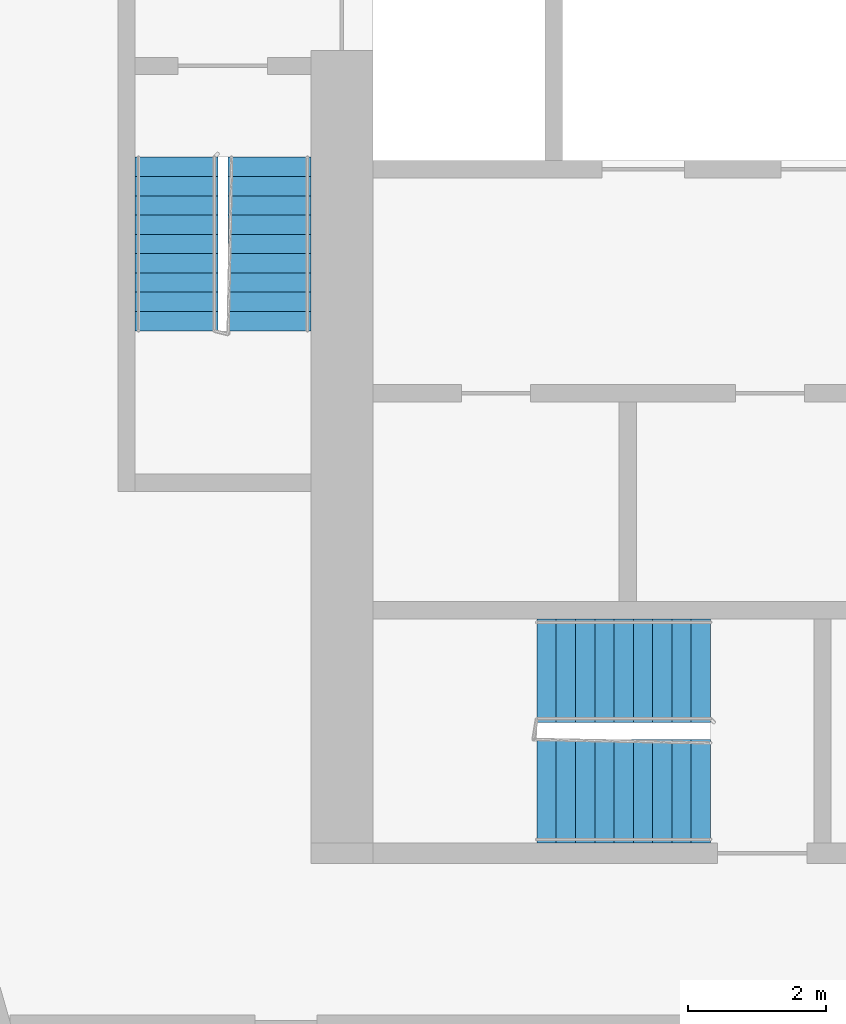
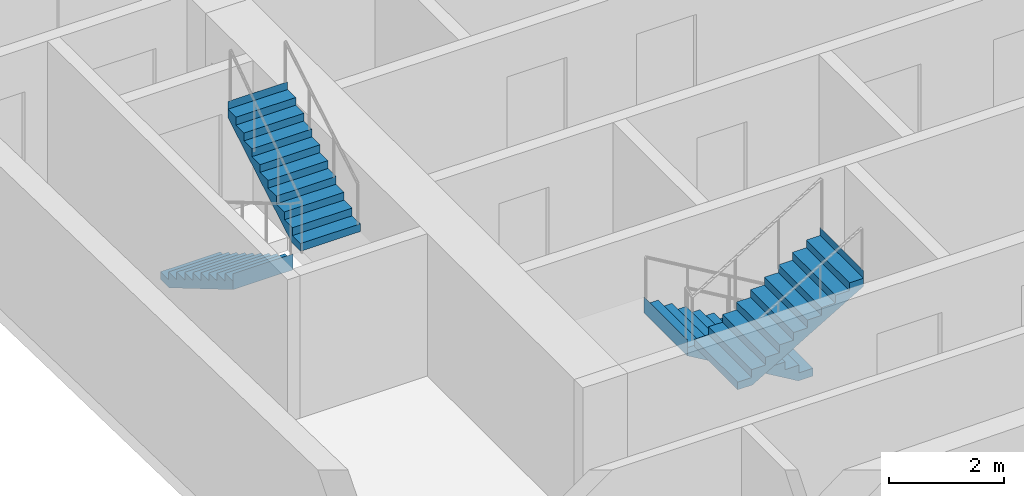
# One storey, part 8 of 11: 4 stair flights, 2 elements without a shape of their own.
"""IFC4 building model written with IfcOpenShell, lengths in metres."""

from ifc_helpers import new_model, si_unit, direction, frame, origin, place, context, subcontext, project, spatial, faceted_brep, material, type_object, element, aggregate, save


model = new_model("IFC4")

# Units and contexts
model_context = context("Model", 3, precision=1e-05, world=origin(), true_north=direction((0.0, 1.0)))
body_context = subcontext(model_context, "Body", "Model", "MODEL_VIEW")
ifc_project = project(units=[si_unit("LENGTHUNIT", "METRE"), si_unit("AREAUNIT", "SQUARE_METRE"), si_unit("VOLUMEUNIT", "CUBIC_METRE"), si_unit("PLANEANGLEUNIT", "RADIAN"), si_unit("MASSUNIT", "GRAM", prefix="KILO")], contexts=[model_context])

# Site, building, storey
site_placement = place(None, origin())
site = spatial("IfcSite", under=ifc_project, at=site_placement, CompositionType="ELEMENT")
building_placement = place(site_placement, origin())
building = spatial("IfcBuilding", under=site, at=building_placement, Name="Kajstack Hotel Tower", CompositionType="ELEMENT")
storey_placement = place(building_placement, frame((0.0, 0.0, 230.89990234375)))
storey = spatial("IfcBuildingStorey", under=building, at=storey_placement, Name="L56", CompositionType="ELEMENT", Elevation=230.89990234375)

# Stair, stair flights
ifc_material = material(Name="Concrete C40/50", Category="concrete")
stair_type_1 = type_object("IfcStairType", Name="Exit stair 1200", PredefinedType="HALF_TURN_STAIR", material=ifc_material)
stair_1_placement = place(storey_placement, origin())
stair_1 = element("IfcStair", 1, at=stair_1_placement, inside=storey, type_object=stair_type_1, Name="L56 stair W1", PredefinedType="HALF_TURN_STAIR")
stair_flight_type_1 = type_object("IfcStairFlightType", Name="Exit stair flight 1200", PredefinedType="STRAIGHT", material=ifc_material)
stair_flight_1_placement = place(storey_placement, frame((-33.449951171875, -5.25, 0.0), z_axis=(0.0, 0.0, 1.0), x_axis=(0.0, -1.0, 0.0)))
stair_flight_1 = element("IfcStairFlight", 2, at=stair_flight_1_placement, type_object=stair_flight_type_1, Name="W1 flight 1", NumberOfRisers=10, NumberOfTreads=9, PredefinedType="STRAIGHT", RiserHeight=0.165, TreadLength=0.28, context=body_context, shape_type="Brep", body=[
    faceted_brep([(0.295654296875, -0.60009765625, 0.0), (2.5205078125, -0.60009765625, 1.31103515625), (2.5205078125, -0.60009765625, 1.64990234375), (2.52001953125, -0.60009765625, 1.64990234375), (2.52001953125, -0.60009765625, 1.485107421875), (2.239990234375, -0.60009765625, 1.485107421875), (2.239990234375, -0.60009765625, 1.320068359375), (1.9599609375, -0.60009765625, 1.320068359375), (1.9599609375, -0.60009765625, 1.155029296875), (1.679931640625, -0.60009765625, 1.155029296875), (1.679931640625, -0.60009765625, 0.989990234375), (1.39990234375, -0.60009765625, 0.989990234375), (1.39990234375, -0.60009765625, 0.824951171875), (1.1201171875, -0.60009765625, 0.824951171875), (1.1201171875, -0.60009765625, 0.659912109375), (0.840087890625, -0.60009765625, 0.659912109375), (0.840087890625, -0.60009765625, 0.4951171875), (0.56005859375, -0.60009765625, 0.4951171875), (0.56005859375, -0.60009765625, 0.330078125), (0.280029296875, -0.60009765625, 0.330078125), (0.280029296875, -0.60009765625, 0.1650390625), (-0.00048828125, -0.60009765625, 0.1650390625), (-0.00048828125, -0.60009765625, 0.0), (-0.00048828125, 0.60009765625, 0.0), (-0.00048828125, 0.60009765625, 0.1650390625), (0.280029296875, 0.60009765625, 0.1650390625), (0.280029296875, 0.60009765625, 0.330078125), (0.56005859375, 0.60009765625, 0.330078125), (0.56005859375, 0.60009765625, 0.4951171875), (0.840087890625, 0.60009765625, 0.4951171875), (0.840087890625, 0.60009765625, 0.659912109375), (1.1201171875, 0.60009765625, 0.659912109375), (1.1201171875, 0.60009765625, 0.824951171875), (1.39990234375, 0.60009765625, 0.824951171875), (1.39990234375, 0.60009765625, 0.989990234375), (1.679931640625, 0.60009765625, 0.989990234375), (1.679931640625, 0.60009765625, 1.155029296875), (1.9599609375, 0.60009765625, 1.155029296875), (1.9599609375, 0.60009765625, 1.320068359375), (2.239990234375, 0.60009765625, 1.320068359375), (2.239990234375, 0.60009765625, 1.485107421875), (2.52001953125, 0.60009765625, 1.485107421875), (2.52001953125, 0.60009765625, 1.64990234375), (2.5205078125, 0.60009765625, 1.64990234375), (2.5205078125, 0.60009765625, 1.31103515625), (0.295654296875, 0.60009765625, 0.0), (-0.00048828125, -0.300048828125, 0.1650390625), (-0.00048828125, 0.0, 0.1650390625), (-0.00048828125, 0.300048828125, 0.1650390625), (-0.00048828125, 0.300048828125, 0.0), (-0.00048828125, 0.0, 0.0), (-0.00048828125, -0.300048828125, 0.0), (0.280029296875, -0.300048828125, 0.1650390625), (0.280029296875, 0.0, 0.1650390625), (0.280029296875, 0.300048828125, 0.1650390625), (0.280029296875, -0.300048828125, 0.330078125), (0.280029296875, 0.0, 0.330078125), (0.280029296875, 0.300048828125, 0.330078125), (0.56005859375, -0.300048828125, 0.330078125), (0.56005859375, 0.0, 0.330078125), (0.56005859375, 0.300048828125, 0.330078125), (0.56005859375, -0.300048828125, 0.4951171875), (0.56005859375, 0.0, 0.4951171875), (0.56005859375, 0.300048828125, 0.4951171875), (0.840087890625, -0.300048828125, 0.4951171875), (0.840087890625, 0.0, 0.4951171875), (0.840087890625, 0.300048828125, 0.4951171875), (0.840087890625, -0.300048828125, 0.659912109375), (0.840087890625, 0.0, 0.659912109375), (0.840087890625, 0.300048828125, 0.659912109375), (1.1201171875, -0.300048828125, 0.659912109375), (1.1201171875, 0.0, 0.659912109375), (1.1201171875, 0.300048828125, 0.659912109375), (1.1201171875, -0.300048828125, 0.824951171875), (1.1201171875, 0.0, 0.824951171875), (1.1201171875, 0.300048828125, 0.824951171875), (1.39990234375, -0.300048828125, 0.824951171875), (1.39990234375, 0.0, 0.824951171875), (1.39990234375, 0.300048828125, 0.824951171875), (1.39990234375, -0.300048828125, 0.989990234375), (1.39990234375, 0.0, 0.989990234375), (1.39990234375, 0.300048828125, 0.989990234375), (1.679931640625, -0.300048828125, 0.989990234375), (1.679931640625, 0.0, 0.989990234375), (1.679931640625, 0.300048828125, 0.989990234375), (1.679931640625, -0.300048828125, 1.155029296875), (1.679931640625, 0.0, 1.155029296875), (1.679931640625, 0.300048828125, 1.155029296875), (1.9599609375, -0.300048828125, 1.155029296875), (1.9599609375, 0.0, 1.155029296875), (1.9599609375, 0.300048828125, 1.155029296875), (1.9599609375, -0.300048828125, 1.320068359375), (1.9599609375, 0.0, 1.320068359375), (1.9599609375, 0.300048828125, 1.320068359375), (2.239990234375, -0.300048828125, 1.320068359375), (2.239990234375, 0.0, 1.320068359375), (2.239990234375, 0.300048828125, 1.320068359375), (2.239990234375, -0.300048828125, 1.485107421875), (2.239990234375, 0.0, 1.485107421875), (2.239990234375, 0.300048828125, 1.485107421875), (2.52001953125, -0.300048828125, 1.485107421875), (2.52001953125, 0.0, 1.485107421875), (2.52001953125, 0.300048828125, 1.485107421875), (2.52001953125, -0.300048828125, 1.64990234375), (2.52001953125, 0.0, 1.64990234375), (2.52001953125, 0.300048828125, 1.64990234375), (2.5205078125, -0.300048828125, 1.64990234375), (2.5205078125, 0.0, 1.64990234375), (2.5205078125, 0.300048828125, 1.64990234375), (2.5205078125, -0.300048828125, 1.31103515625), (2.5205078125, 0.0, 1.31103515625), (2.5205078125, 0.300048828125, 1.31103515625), (0.295654296875, -0.300048828125, 0.0), (0.295654296875, 0.0, 0.0), (0.295654296875, 0.300048828125, 0.0)], [[[0, 1, 2, 3, 4, 5, 6, 7, 8, 9, 10, 11, 12, 13, 14, 15, 16, 17, 18, 19, 20, 21, 22]], [[23, 24, 25, 26, 27, 28, 29, 30, 31, 32, 33, 34, 35, 36, 37, 38, 39, 40, 41, 42, 43, 44, 45]], [[21, 46, 47, 48, 24, 23, 49, 50, 51, 22]], [[20, 52, 53, 54, 25, 24, 48, 47, 46, 21]], [[19, 55, 56, 57, 26, 25, 54, 53, 52, 20]], [[18, 58, 59, 60, 27, 26, 57, 56, 55, 19]], [[17, 61, 62, 63, 28, 27, 60, 59, 58, 18]], [[16, 64, 65, 66, 29, 28, 63, 62, 61, 17]], [[15, 67, 68, 69, 30, 29, 66, 65, 64, 16]], [[14, 70, 71, 72, 31, 30, 69, 68, 67, 15]], [[13, 73, 74, 75, 32, 31, 72, 71, 70, 14]], [[12, 76, 77, 78, 33, 32, 75, 74, 73, 13]], [[11, 79, 80, 81, 34, 33, 78, 77, 76, 12]], [[10, 82, 83, 84, 35, 34, 81, 80, 79, 11]], [[9, 85, 86, 87, 36, 35, 84, 83, 82, 10]], [[8, 88, 89, 90, 37, 36, 87, 86, 85, 9]], [[7, 91, 92, 93, 38, 37, 90, 89, 88, 8]], [[6, 94, 95, 96, 39, 38, 93, 92, 91, 7]], [[5, 97, 98, 99, 40, 39, 96, 95, 94, 6]], [[4, 100, 101, 102, 41, 40, 99, 98, 97, 5]], [[3, 103, 104, 105, 42, 41, 102, 101, 100, 4]], [[2, 106, 107, 108, 43, 42, 105, 104, 103, 3]], [[1, 109, 110, 111, 44, 43, 108, 107, 106, 2]], [[0, 112, 113, 114, 45, 44, 111, 110, 109, 1]], [[22, 51, 50, 49, 23, 45, 114, 113, 112, 0]]]),
])
stair_flight_2_placement = place(storey_placement, frame((-32.10009765625, -7.77001953125, 1.650146484375), z_axis=(0.0, 0.0, 1.0), x_axis=(0.0, 1.0, 0.0)))
stair_flight_2 = element("IfcStairFlight", 3, at=stair_flight_2_placement, type_object=stair_flight_type_1, Name="W1 flight 2", NumberOfRisers=10, NumberOfTreads=9, PredefinedType="STRAIGHT", RiserHeight=0.165, TreadLength=0.28, context=body_context, shape_type="Brep", body=[
    faceted_brep([(0.295654296875, -0.60009765625, 0.0), (2.5205078125, -0.60009765625, 1.31103515625), (2.5205078125, -0.60009765625, 1.64990234375), (2.52001953125, -0.60009765625, 1.64990234375), (2.52001953125, -0.60009765625, 1.485107421875), (2.239990234375, -0.60009765625, 1.485107421875), (2.239990234375, -0.60009765625, 1.320068359375), (1.9599609375, -0.60009765625, 1.320068359375), (1.9599609375, -0.60009765625, 1.155029296875), (1.679931640625, -0.60009765625, 1.155029296875), (1.679931640625, -0.60009765625, 0.989990234375), (1.39990234375, -0.60009765625, 0.989990234375), (1.39990234375, -0.60009765625, 0.824951171875), (1.1201171875, -0.60009765625, 0.824951171875), (1.1201171875, -0.60009765625, 0.659912109375), (0.840087890625, -0.60009765625, 0.659912109375), (0.840087890625, -0.60009765625, 0.4951171875), (0.56005859375, -0.60009765625, 0.4951171875), (0.56005859375, -0.60009765625, 0.330078125), (0.280029296875, -0.60009765625, 0.330078125), (0.280029296875, -0.60009765625, 0.1650390625), (-0.00048828125, -0.60009765625, 0.1650390625), (-0.00048828125, -0.60009765625, 0.0), (-0.00048828125, 0.60009765625, 0.0), (-0.00048828125, 0.60009765625, 0.1650390625), (0.280029296875, 0.60009765625, 0.1650390625), (0.280029296875, 0.60009765625, 0.330078125), (0.56005859375, 0.60009765625, 0.330078125), (0.56005859375, 0.60009765625, 0.4951171875), (0.840087890625, 0.60009765625, 0.4951171875), (0.840087890625, 0.60009765625, 0.659912109375), (1.1201171875, 0.60009765625, 0.659912109375), (1.1201171875, 0.60009765625, 0.824951171875), (1.39990234375, 0.60009765625, 0.824951171875), (1.39990234375, 0.60009765625, 0.989990234375), (1.679931640625, 0.60009765625, 0.989990234375), (1.679931640625, 0.60009765625, 1.155029296875), (1.9599609375, 0.60009765625, 1.155029296875), (1.9599609375, 0.60009765625, 1.320068359375), (2.239990234375, 0.60009765625, 1.320068359375), (2.239990234375, 0.60009765625, 1.485107421875), (2.52001953125, 0.60009765625, 1.485107421875), (2.52001953125, 0.60009765625, 1.64990234375), (2.5205078125, 0.60009765625, 1.64990234375), (2.5205078125, 0.60009765625, 1.31103515625), (0.295654296875, 0.60009765625, 0.0), (-0.00048828125, -0.300048828125, 0.1650390625), (-0.00048828125, 0.0, 0.1650390625), (-0.00048828125, 0.300048828125, 0.1650390625), (-0.00048828125, 0.300048828125, 0.0), (-0.00048828125, 0.0, 0.0), (-0.00048828125, -0.300048828125, 0.0), (0.280029296875, -0.300048828125, 0.1650390625), (0.280029296875, 0.0, 0.1650390625), (0.280029296875, 0.300048828125, 0.1650390625), (0.280029296875, -0.300048828125, 0.330078125), (0.280029296875, 0.0, 0.330078125), (0.280029296875, 0.300048828125, 0.330078125), (0.56005859375, -0.300048828125, 0.330078125), (0.56005859375, 0.0, 0.330078125), (0.56005859375, 0.300048828125, 0.330078125), (0.56005859375, -0.300048828125, 0.4951171875), (0.56005859375, 0.0, 0.4951171875), (0.56005859375, 0.300048828125, 0.4951171875), (0.840087890625, -0.300048828125, 0.4951171875), (0.840087890625, 0.0, 0.4951171875), (0.840087890625, 0.300048828125, 0.4951171875), (0.840087890625, -0.300048828125, 0.659912109375), (0.840087890625, 0.0, 0.659912109375), (0.840087890625, 0.300048828125, 0.659912109375), (1.1201171875, -0.300048828125, 0.659912109375), (1.1201171875, 0.0, 0.659912109375), (1.1201171875, 0.300048828125, 0.659912109375), (1.1201171875, -0.300048828125, 0.824951171875), (1.1201171875, 0.0, 0.824951171875), (1.1201171875, 0.300048828125, 0.824951171875), (1.39990234375, -0.300048828125, 0.824951171875), (1.39990234375, 0.0, 0.824951171875), (1.39990234375, 0.300048828125, 0.824951171875), (1.39990234375, -0.300048828125, 0.989990234375), (1.39990234375, 0.0, 0.989990234375), (1.39990234375, 0.300048828125, 0.989990234375), (1.679931640625, -0.300048828125, 0.989990234375), (1.679931640625, 0.0, 0.989990234375), (1.679931640625, 0.300048828125, 0.989990234375), (1.679931640625, -0.300048828125, 1.155029296875), (1.679931640625, 0.0, 1.155029296875), (1.679931640625, 0.300048828125, 1.155029296875), (1.9599609375, -0.300048828125, 1.155029296875), (1.9599609375, 0.0, 1.155029296875), (1.9599609375, 0.300048828125, 1.155029296875), (1.9599609375, -0.300048828125, 1.320068359375), (1.9599609375, 0.0, 1.320068359375), (1.9599609375, 0.300048828125, 1.320068359375), (2.239990234375, -0.300048828125, 1.320068359375), (2.239990234375, 0.0, 1.320068359375), (2.239990234375, 0.300048828125, 1.320068359375), (2.239990234375, -0.300048828125, 1.485107421875), (2.239990234375, 0.0, 1.485107421875), (2.239990234375, 0.300048828125, 1.485107421875), (2.52001953125, -0.300048828125, 1.485107421875), (2.52001953125, 0.0, 1.485107421875), (2.52001953125, 0.300048828125, 1.485107421875), (2.52001953125, -0.300048828125, 1.64990234375), (2.52001953125, 0.0, 1.64990234375), (2.52001953125, 0.300048828125, 1.64990234375), (2.5205078125, -0.300048828125, 1.64990234375), (2.5205078125, 0.0, 1.64990234375), (2.5205078125, 0.300048828125, 1.64990234375), (2.5205078125, -0.300048828125, 1.31103515625), (2.5205078125, 0.0, 1.31103515625), (2.5205078125, 0.300048828125, 1.31103515625), (0.295654296875, -0.300048828125, 0.0), (0.295654296875, 0.0, 0.0), (0.295654296875, 0.300048828125, 0.0)], [[[0, 1, 2, 3, 4, 5, 6, 7, 8, 9, 10, 11, 12, 13, 14, 15, 16, 17, 18, 19, 20, 21, 22]], [[23, 24, 25, 26, 27, 28, 29, 30, 31, 32, 33, 34, 35, 36, 37, 38, 39, 40, 41, 42, 43, 44, 45]], [[21, 46, 47, 48, 24, 23, 49, 50, 51, 22]], [[20, 52, 53, 54, 25, 24, 48, 47, 46, 21]], [[19, 55, 56, 57, 26, 25, 54, 53, 52, 20]], [[18, 58, 59, 60, 27, 26, 57, 56, 55, 19]], [[17, 61, 62, 63, 28, 27, 60, 59, 58, 18]], [[16, 64, 65, 66, 29, 28, 63, 62, 61, 17]], [[15, 67, 68, 69, 30, 29, 66, 65, 64, 16]], [[14, 70, 71, 72, 31, 30, 69, 68, 67, 15]], [[13, 73, 74, 75, 32, 31, 72, 71, 70, 14]], [[12, 76, 77, 78, 33, 32, 75, 74, 73, 13]], [[11, 79, 80, 81, 34, 33, 78, 77, 76, 12]], [[10, 82, 83, 84, 35, 34, 81, 80, 79, 11]], [[9, 85, 86, 87, 36, 35, 84, 83, 82, 10]], [[8, 88, 89, 90, 37, 36, 87, 86, 85, 9]], [[7, 91, 92, 93, 38, 37, 90, 89, 88, 8]], [[6, 94, 95, 96, 39, 38, 93, 92, 91, 7]], [[5, 97, 98, 99, 40, 39, 96, 95, 94, 6]], [[4, 100, 101, 102, 41, 40, 99, 98, 97, 5]], [[3, 103, 104, 105, 42, 41, 102, 101, 100, 4]], [[2, 106, 107, 108, 43, 42, 105, 104, 103, 3]], [[1, 109, 110, 111, 44, 43, 108, 107, 106, 2]], [[0, 112, 113, 114, 45, 44, 111, 110, 109, 1]], [[22, 51, 50, 49, 23, 45, 114, 113, 112, 0]]]),
])
aggregate(stair_1, [stair_flight_1, stair_flight_2])

stair_type_2 = type_object("IfcStairType", Name="Exit stair 1500", PredefinedType="HALF_TURN_STAIR", material=ifc_material)
stair_2_placement = place(storey_placement, origin())
stair_2 = element("IfcStair", 4, at=stair_2_placement, inside=storey, type_object=stair_type_2, Name="L56 stair W3", PredefinedType="HALF_TURN_STAIR")
stair_flight_type_2 = type_object("IfcStairFlightType", Name="Exit stair flight 1500", PredefinedType="STRAIGHT", material=ifc_material)
stair_flight_3_placement = place(storey_placement, frame((-25.699951171875, -12.699951171875, 0.0), z_axis=(0.0, 0.0, 1.0), x_axis=(-1.0, 0.0, 0.0)))
stair_flight_3 = element("IfcStairFlight", 5, at=stair_flight_3_placement, type_object=stair_flight_type_2, Name="W3 flight 1", NumberOfRisers=10, NumberOfTreads=9, PredefinedType="STRAIGHT", RiserHeight=0.165, TreadLength=0.28, context=body_context, shape_type="Brep", body=[
    faceted_brep([(0.295654296875, -0.75, 0.0), (2.5205078125, -0.75, 1.31103515625), (2.5205078125, -0.75, 1.64990234375), (2.52001953125, -0.75, 1.64990234375), (2.52001953125, -0.75, 1.485107421875), (2.239990234375, -0.75, 1.485107421875), (2.239990234375, -0.75, 1.320068359375), (1.9599609375, -0.75, 1.320068359375), (1.9599609375, -0.75, 1.155029296875), (1.679931640625, -0.75, 1.155029296875), (1.679931640625, -0.75, 0.989990234375), (1.39990234375, -0.75, 0.989990234375), (1.39990234375, -0.75, 0.824951171875), (1.1201171875, -0.75, 0.824951171875), (1.1201171875, -0.75, 0.659912109375), (0.840087890625, -0.75, 0.659912109375), (0.840087890625, -0.75, 0.4951171875), (0.56005859375, -0.75, 0.4951171875), (0.56005859375, -0.75, 0.330078125), (0.280029296875, -0.75, 0.330078125), (0.280029296875, -0.75, 0.1650390625), (-0.00048828125, -0.75, 0.1650390625), (-0.00048828125, -0.75, 0.0), (-0.00048828125, 0.75, 0.0), (-0.00048828125, 0.75, 0.1650390625), (0.280029296875, 0.75, 0.1650390625), (0.280029296875, 0.75, 0.330078125), (0.56005859375, 0.75, 0.330078125), (0.56005859375, 0.75, 0.4951171875), (0.840087890625, 0.75, 0.4951171875), (0.840087890625, 0.75, 0.659912109375), (1.1201171875, 0.75, 0.659912109375), (1.1201171875, 0.75, 0.824951171875), (1.39990234375, 0.75, 0.824951171875), (1.39990234375, 0.75, 0.989990234375), (1.679931640625, 0.75, 0.989990234375), (1.679931640625, 0.75, 1.155029296875), (1.9599609375, 0.75, 1.155029296875), (1.9599609375, 0.75, 1.320068359375), (2.239990234375, 0.75, 1.320068359375), (2.239990234375, 0.75, 1.485107421875), (2.52001953125, 0.75, 1.485107421875), (2.52001953125, 0.75, 1.64990234375), (2.5205078125, 0.75, 1.64990234375), (2.5205078125, 0.75, 1.31103515625), (0.295654296875, 0.75, 0.0), (-0.00048828125, -0.375, 0.1650390625), (-0.00048828125, 0.0, 0.1650390625), (-0.00048828125, 0.375, 0.1650390625), (-0.00048828125, 0.375, 0.0), (-0.00048828125, 0.0, 0.0), (-0.00048828125, -0.375, 0.0), (0.280029296875, -0.375, 0.1650390625), (0.280029296875, 0.0, 0.1650390625), (0.280029296875, 0.375, 0.1650390625), (0.280029296875, -0.375, 0.330078125), (0.280029296875, 0.0, 0.330078125), (0.280029296875, 0.375, 0.330078125), (0.56005859375, -0.375, 0.330078125), (0.56005859375, 0.0, 0.330078125), (0.56005859375, 0.375, 0.330078125), (0.56005859375, -0.375, 0.4951171875), (0.56005859375, 0.0, 0.4951171875), (0.56005859375, 0.375, 0.4951171875), (0.840087890625, -0.375, 0.4951171875), (0.840087890625, 0.0, 0.4951171875), (0.840087890625, 0.375, 0.4951171875), (0.840087890625, -0.375, 0.659912109375), (0.840087890625, 0.0, 0.659912109375), (0.840087890625, 0.375, 0.659912109375), (1.1201171875, -0.375, 0.659912109375), (1.1201171875, 0.0, 0.659912109375), (1.1201171875, 0.375, 0.659912109375), (1.1201171875, -0.375, 0.824951171875), (1.1201171875, 0.0, 0.824951171875), (1.1201171875, 0.375, 0.824951171875), (1.39990234375, -0.375, 0.824951171875), (1.39990234375, 0.0, 0.824951171875), (1.39990234375, 0.375, 0.824951171875), (1.39990234375, -0.375, 0.989990234375), (1.39990234375, 0.0, 0.989990234375), (1.39990234375, 0.375, 0.989990234375), (1.679931640625, -0.375, 0.989990234375), (1.679931640625, 0.0, 0.989990234375), (1.679931640625, 0.375, 0.989990234375), (1.679931640625, -0.375, 1.155029296875), (1.679931640625, 0.0, 1.155029296875), (1.679931640625, 0.375, 1.155029296875), (1.9599609375, -0.375, 1.155029296875), (1.9599609375, 0.0, 1.155029296875), (1.9599609375, 0.375, 1.155029296875), (1.9599609375, -0.375, 1.320068359375), (1.9599609375, 0.0, 1.320068359375), (1.9599609375, 0.375, 1.320068359375), (2.239990234375, -0.375, 1.320068359375), (2.239990234375, 0.0, 1.320068359375), (2.239990234375, 0.375, 1.320068359375), (2.239990234375, -0.375, 1.485107421875), (2.239990234375, 0.0, 1.485107421875), (2.239990234375, 0.375, 1.485107421875), (2.52001953125, -0.375, 1.485107421875), (2.52001953125, 0.0, 1.485107421875), (2.52001953125, 0.375, 1.485107421875), (2.52001953125, -0.375, 1.64990234375), (2.52001953125, 0.0, 1.64990234375), (2.52001953125, 0.375, 1.64990234375), (2.5205078125, -0.375, 1.64990234375), (2.5205078125, 0.0, 1.64990234375), (2.5205078125, 0.375, 1.64990234375), (2.5205078125, -0.375, 1.31103515625), (2.5205078125, 0.0, 1.31103515625), (2.5205078125, 0.375, 1.31103515625), (0.295654296875, -0.375, 0.0), (0.295654296875, 0.0, 0.0), (0.295654296875, 0.375, 0.0)], [[[0, 1, 2, 3, 4, 5, 6, 7, 8, 9, 10, 11, 12, 13, 14, 15, 16, 17, 18, 19, 20, 21, 22]], [[23, 24, 25, 26, 27, 28, 29, 30, 31, 32, 33, 34, 35, 36, 37, 38, 39, 40, 41, 42, 43, 44, 45]], [[21, 46, 47, 48, 24, 23, 49, 50, 51, 22]], [[20, 52, 53, 54, 25, 24, 48, 47, 46, 21]], [[19, 55, 56, 57, 26, 25, 54, 53, 52, 20]], [[18, 58, 59, 60, 27, 26, 57, 56, 55, 19]], [[17, 61, 62, 63, 28, 27, 60, 59, 58, 18]], [[16, 64, 65, 66, 29, 28, 63, 62, 61, 17]], [[15, 67, 68, 69, 30, 29, 66, 65, 64, 16]], [[14, 70, 71, 72, 31, 30, 69, 68, 67, 15]], [[13, 73, 74, 75, 32, 31, 72, 71, 70, 14]], [[12, 76, 77, 78, 33, 32, 75, 74, 73, 13]], [[11, 79, 80, 81, 34, 33, 78, 77, 76, 12]], [[10, 82, 83, 84, 35, 34, 81, 80, 79, 11]], [[9, 85, 86, 87, 36, 35, 84, 83, 82, 10]], [[8, 88, 89, 90, 37, 36, 87, 86, 85, 9]], [[7, 91, 92, 93, 38, 37, 90, 89, 88, 8]], [[6, 94, 95, 96, 39, 38, 93, 92, 91, 7]], [[5, 97, 98, 99, 40, 39, 96, 95, 94, 6]], [[4, 100, 101, 102, 41, 40, 99, 98, 97, 5]], [[3, 103, 104, 105, 42, 41, 102, 101, 100, 4]], [[2, 106, 107, 108, 43, 42, 105, 104, 103, 3]], [[1, 109, 110, 111, 44, 43, 108, 107, 106, 2]], [[0, 112, 113, 114, 45, 44, 111, 110, 109, 1]], [[22, 51, 50, 49, 23, 45, 114, 113, 112, 0]]]),
])
stair_flight_4_placement = place(storey_placement, frame((-28.219970703125, -14.449951171875, 1.650146484375), z_axis=(0.0, 0.0, 1.0), x_axis=(1.0, 0.0, 0.0)))
stair_flight_4 = element("IfcStairFlight", 6, at=stair_flight_4_placement, type_object=stair_flight_type_2, Name="W3 flight 2", NumberOfRisers=10, NumberOfTreads=9, PredefinedType="STRAIGHT", RiserHeight=0.165, TreadLength=0.28, context=body_context, shape_type="Brep", body=[
    faceted_brep([(0.295654296875, -0.75, 0.0), (2.5205078125, -0.75, 1.31103515625), (2.5205078125, -0.75, 1.64990234375), (2.52001953125, -0.75, 1.64990234375), (2.52001953125, -0.75, 1.485107421875), (2.239990234375, -0.75, 1.485107421875), (2.239990234375, -0.75, 1.320068359375), (1.9599609375, -0.75, 1.320068359375), (1.9599609375, -0.75, 1.155029296875), (1.679931640625, -0.75, 1.155029296875), (1.679931640625, -0.75, 0.989990234375), (1.39990234375, -0.75, 0.989990234375), (1.39990234375, -0.75, 0.824951171875), (1.1201171875, -0.75, 0.824951171875), (1.1201171875, -0.75, 0.659912109375), (0.840087890625, -0.75, 0.659912109375), (0.840087890625, -0.75, 0.4951171875), (0.56005859375, -0.75, 0.4951171875), (0.56005859375, -0.75, 0.330078125), (0.280029296875, -0.75, 0.330078125), (0.280029296875, -0.75, 0.1650390625), (-0.00048828125, -0.75, 0.1650390625), (-0.00048828125, -0.75, 0.0), (-0.00048828125, 0.75, 0.0), (-0.00048828125, 0.75, 0.1650390625), (0.280029296875, 0.75, 0.1650390625), (0.280029296875, 0.75, 0.330078125), (0.56005859375, 0.75, 0.330078125), (0.56005859375, 0.75, 0.4951171875), (0.840087890625, 0.75, 0.4951171875), (0.840087890625, 0.75, 0.659912109375), (1.1201171875, 0.75, 0.659912109375), (1.1201171875, 0.75, 0.824951171875), (1.39990234375, 0.75, 0.824951171875), (1.39990234375, 0.75, 0.989990234375), (1.679931640625, 0.75, 0.989990234375), (1.679931640625, 0.75, 1.155029296875), (1.9599609375, 0.75, 1.155029296875), (1.9599609375, 0.75, 1.320068359375), (2.239990234375, 0.75, 1.320068359375), (2.239990234375, 0.75, 1.485107421875), (2.52001953125, 0.75, 1.485107421875), (2.52001953125, 0.75, 1.64990234375), (2.5205078125, 0.75, 1.64990234375), (2.5205078125, 0.75, 1.31103515625), (0.295654296875, 0.75, 0.0), (-0.00048828125, -0.375, 0.1650390625), (-0.00048828125, 0.0, 0.1650390625), (-0.00048828125, 0.375, 0.1650390625), (-0.00048828125, 0.375, 0.0), (-0.00048828125, 0.0, 0.0), (-0.00048828125, -0.375, 0.0), (0.280029296875, -0.375, 0.1650390625), (0.280029296875, 0.0, 0.1650390625), (0.280029296875, 0.375, 0.1650390625), (0.280029296875, -0.375, 0.330078125), (0.280029296875, 0.0, 0.330078125), (0.280029296875, 0.375, 0.330078125), (0.56005859375, -0.375, 0.330078125), (0.56005859375, 0.0, 0.330078125), (0.56005859375, 0.375, 0.330078125), (0.56005859375, -0.375, 0.4951171875), (0.56005859375, 0.0, 0.4951171875), (0.56005859375, 0.375, 0.4951171875), (0.840087890625, -0.375, 0.4951171875), (0.840087890625, 0.0, 0.4951171875), (0.840087890625, 0.375, 0.4951171875), (0.840087890625, -0.375, 0.659912109375), (0.840087890625, 0.0, 0.659912109375), (0.840087890625, 0.375, 0.659912109375), (1.1201171875, -0.375, 0.659912109375), (1.1201171875, 0.0, 0.659912109375), (1.1201171875, 0.375, 0.659912109375), (1.1201171875, -0.375, 0.824951171875), (1.1201171875, 0.0, 0.824951171875), (1.1201171875, 0.375, 0.824951171875), (1.39990234375, -0.375, 0.824951171875), (1.39990234375, 0.0, 0.824951171875), (1.39990234375, 0.375, 0.824951171875), (1.39990234375, -0.375, 0.989990234375), (1.39990234375, 0.0, 0.989990234375), (1.39990234375, 0.375, 0.989990234375), (1.679931640625, -0.375, 0.989990234375), (1.679931640625, 0.0, 0.989990234375), (1.679931640625, 0.375, 0.989990234375), (1.679931640625, -0.375, 1.155029296875), (1.679931640625, 0.0, 1.155029296875), (1.679931640625, 0.375, 1.155029296875), (1.9599609375, -0.375, 1.155029296875), (1.9599609375, 0.0, 1.155029296875), (1.9599609375, 0.375, 1.155029296875), (1.9599609375, -0.375, 1.320068359375), (1.9599609375, 0.0, 1.320068359375), (1.9599609375, 0.375, 1.320068359375), (2.239990234375, -0.375, 1.320068359375), (2.239990234375, 0.0, 1.320068359375), (2.239990234375, 0.375, 1.320068359375), (2.239990234375, -0.375, 1.485107421875), (2.239990234375, 0.0, 1.485107421875), (2.239990234375, 0.375, 1.485107421875), (2.52001953125, -0.375, 1.485107421875), (2.52001953125, 0.0, 1.485107421875), (2.52001953125, 0.375, 1.485107421875), (2.52001953125, -0.375, 1.64990234375), (2.52001953125, 0.0, 1.64990234375), (2.52001953125, 0.375, 1.64990234375), (2.5205078125, -0.375, 1.64990234375), (2.5205078125, 0.0, 1.64990234375), (2.5205078125, 0.375, 1.64990234375), (2.5205078125, -0.375, 1.31103515625), (2.5205078125, 0.0, 1.31103515625), (2.5205078125, 0.375, 1.31103515625), (0.295654296875, -0.375, 0.0), (0.295654296875, 0.0, 0.0), (0.295654296875, 0.375, 0.0)], [[[0, 1, 2, 3, 4, 5, 6, 7, 8, 9, 10, 11, 12, 13, 14, 15, 16, 17, 18, 19, 20, 21, 22]], [[23, 24, 25, 26, 27, 28, 29, 30, 31, 32, 33, 34, 35, 36, 37, 38, 39, 40, 41, 42, 43, 44, 45]], [[21, 46, 47, 48, 24, 23, 49, 50, 51, 22]], [[20, 52, 53, 54, 25, 24, 48, 47, 46, 21]], [[19, 55, 56, 57, 26, 25, 54, 53, 52, 20]], [[18, 58, 59, 60, 27, 26, 57, 56, 55, 19]], [[17, 61, 62, 63, 28, 27, 60, 59, 58, 18]], [[16, 64, 65, 66, 29, 28, 63, 62, 61, 17]], [[15, 67, 68, 69, 30, 29, 66, 65, 64, 16]], [[14, 70, 71, 72, 31, 30, 69, 68, 67, 15]], [[13, 73, 74, 75, 32, 31, 72, 71, 70, 14]], [[12, 76, 77, 78, 33, 32, 75, 74, 73, 13]], [[11, 79, 80, 81, 34, 33, 78, 77, 76, 12]], [[10, 82, 83, 84, 35, 34, 81, 80, 79, 11]], [[9, 85, 86, 87, 36, 35, 84, 83, 82, 10]], [[8, 88, 89, 90, 37, 36, 87, 86, 85, 9]], [[7, 91, 92, 93, 38, 37, 90, 89, 88, 8]], [[6, 94, 95, 96, 39, 38, 93, 92, 91, 7]], [[5, 97, 98, 99, 40, 39, 96, 95, 94, 6]], [[4, 100, 101, 102, 41, 40, 99, 98, 97, 5]], [[3, 103, 104, 105, 42, 41, 102, 101, 100, 4]], [[2, 106, 107, 108, 43, 42, 105, 104, 103, 3]], [[1, 109, 110, 111, 44, 43, 108, 107, 106, 2]], [[0, 112, 113, 114, 45, 44, 111, 110, 109, 1]], [[22, 51, 50, 49, 23, 45, 114, 113, 112, 0]]]),
])
aggregate(stair_2, [stair_flight_3, stair_flight_4])

save(model, "model.ifc")
